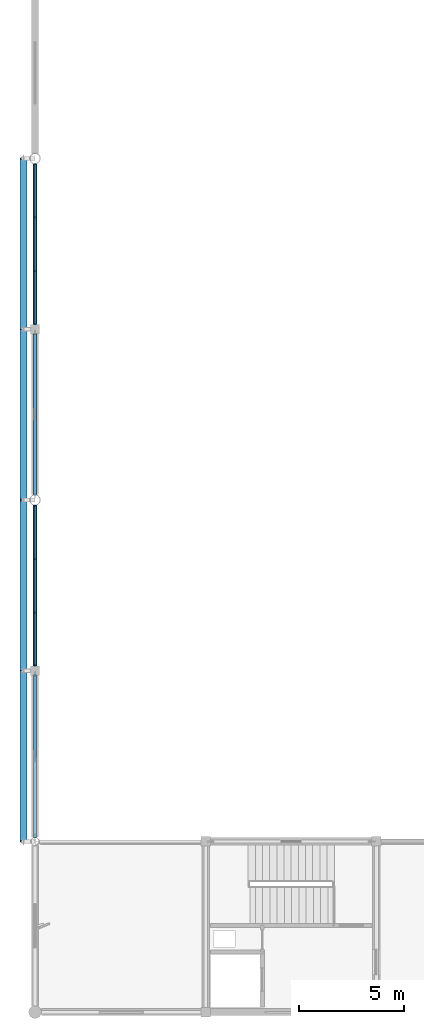
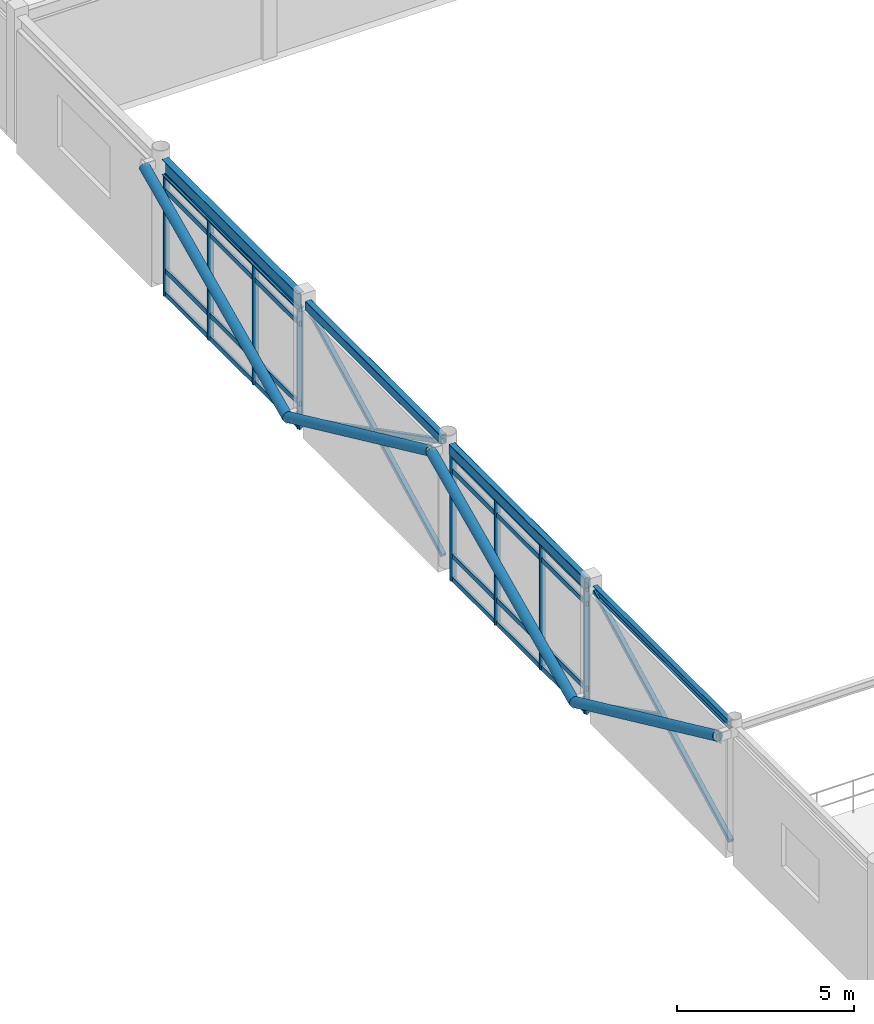
# One storey, part 27 of 93: 25 members, 4 beams, 2 elements without a shape of their own.
"""IFC4 building model written with IfcOpenShell, lengths in metres."""

from ifc_helpers import new_model, si_unit, direction, frame, origin, origin_2d, place, context, subcontext, project, spatial, rectangle, hollow_rectangle, hollow_circle, i_section, extrude, material, layer, layer_set, material_profile, profile_set, type_object, element, aggregate, save


model = new_model("IFC4")

# Units and contexts
model_context = context("Model", 3, precision=1e-05, world=origin(), true_north=direction((0.0, 1.0)))
body_context = subcontext(model_context, "Body", "Model", "MODEL_VIEW")
ifc_project = project(units=[si_unit("LENGTHUNIT", "METRE"), si_unit("AREAUNIT", "SQUARE_METRE"), si_unit("VOLUMEUNIT", "CUBIC_METRE"), si_unit("PLANEANGLEUNIT", "RADIAN"), si_unit("MASSUNIT", "GRAM", prefix="KILO")], contexts=[model_context])

# Site, building, storey
site_placement = place(None, origin())
site = spatial("IfcSite", under=ifc_project, at=site_placement, CompositionType="ELEMENT")
building_placement = place(site_placement, origin())
building = spatial("IfcBuilding", under=site, at=building_placement, Name="Vaudrelin Polytechnic", CompositionType="ELEMENT")
storey_placement = place(building_placement, frame((0.0, 0.0, 5.10009765625)))
storey = spatial("IfcBuildingStorey", under=building, at=storey_placement, Name="L01", CompositionType="ELEMENT", Elevation=5.10009765625)

# Beams
ifc_material_1 = material(Name="Steel CSA G40.21 350W", Category="steel")
ifc_material_profile_1 = material_profile(ifc_material_1, i_section(OverallWidth=0.208984375, OverallDepth=0.532958984375, WebThickness=0.01025390625, FlangeThickness=0.015625, FilletRadius=0.01904296875, at=origin_2d()), Name="W530x92")
ifc_profile_set_1 = profile_set([ifc_material_profile_1], Name="Steel CSA G40.21 350W")
beam_type_1 = type_object("IfcBeamType", Name="BM-BM-W530", PredefinedType="BEAM", material=ifc_profile_set_1)
beam_1_placement = place(storey_placement, frame((0.0, 73.110107421875, 4.04345703125), z_axis=(0.0, 1.0, 0.0), x_axis=(-1.0, 0.0, 0.0)))
element("IfcBeam", 1, at=beam_1_placement, inside=storey, type_object=beam_type_1, Name="L01 Y-beam 1-10", PredefinedType="BEAM", context=body_context, shape_type="SweptSolid", body=[
    extrude(i_section(OverallWidth=0.208984375, OverallDepth=0.532958984375, WebThickness=0.01025390625, FlangeThickness=0.015625, FilletRadius=0.01904296875, at=origin_2d()), origin(), (0.0, 0.0, 1.0), 7.65087890625),
])
ifc_material_profile_2 = material_profile(ifc_material_1, i_section(OverallWidth=0.14794921875, OverallDepth=0.26611328125, WebThickness=0.007568359375, FlangeThickness=0.012939453125, FilletRadius=0.012939453125, at=origin_2d()), Name="W250x45")
ifc_profile_set_2 = profile_set([ifc_material_profile_2], Name="Steel CSA G40.21 350W")
beam_type_2 = type_object("IfcBeamType", Name="BM-JS-W250", PredefinedType="JOIST", material=ifc_profile_set_2)
beam_2_placement = place(storey_placement, frame((0.0, 48.7880859375, 4.177001953125), z_axis=(0.0, 1.0, 0.0), x_axis=(-1.0, 0.0, 0.0)))
element("IfcBeam", 2, at=beam_2_placement, inside=storey, type_object=beam_type_2, Name="L01 Y-beam 1-7", PredefinedType="JOIST", context=body_context, shape_type="SweptSolid", body=[
    extrude(i_section(OverallWidth=0.14794921875, OverallDepth=0.26611328125, WebThickness=0.007568359375, FlangeThickness=0.012939453125, FilletRadius=0.012939453125, at=origin_2d()), origin(), (0.0, 0.0, 1.0), 7.701904296875),
])
ifc_material_2 = material(Name="Steel CSA G40.21 350WT", Category="steel")
ifc_material_profile_3 = material_profile(ifc_material_2, hollow_rectangle(XDim=0.202880859375, YDim=0.304931640625, WallThickness=0.010986328125, InnerFilletRadius=0.010986328125, OuterFilletRadius=0.022216796875, at=origin_2d()), Name="HSS305x203x11.1")
ifc_profile_set_3 = profile_set([ifc_material_profile_3], Name="Steel CSA G40.21 350WT")
beam_type_3 = type_object("IfcBeamType", Name="BM-SP-HSS30", PredefinedType="SPANDREL", material=ifc_profile_set_3)
beam_3_placement = place(storey_placement, frame((0.0, 65.0390625, 4.157470703125), z_axis=(0.0, 1.0, 0.0), x_axis=(-1.0, 0.0, 0.0)))
element("IfcBeam", 3, at=beam_3_placement, inside=storey, type_object=beam_type_3, Name="L01 Y-beam 1-9", PredefinedType="SPANDREL", context=body_context, shape_type="SweptSolid", body=[
    extrude(hollow_rectangle(XDim=0.202880859375, YDim=0.304931640625, WallThickness=0.010986328125, InnerFilletRadius=0.010986328125, OuterFilletRadius=0.022216796875, at=origin_2d()), origin(), (0.0, 0.0, 1.0), 7.65087890625),
])
ifc_material_profile_4 = material_profile(ifc_material_2, hollow_rectangle(XDim=0.202880859375, YDim=0.35595703125, WallThickness=0.0126953125, InnerFilletRadius=0.0126953125, OuterFilletRadius=0.025390625, at=origin_2d()), Name="HSS356x203x12.7")
ifc_profile_set_4 = profile_set([ifc_material_profile_4], Name="Steel CSA G40.21 350WT")
beam_type_4 = type_object("IfcBeamType", Name="BM-SP-HSS35", PredefinedType="SPANDREL", material=ifc_profile_set_4)
beam_4_placement = place(storey_placement, frame((0.0, 56.909912109375, 4.1318359375), z_axis=(0.0, 1.0, 0.0), x_axis=(-1.0, 0.0, 0.0)))
element("IfcBeam", 4, at=beam_4_placement, inside=storey, type_object=beam_type_4, Name="L01 Y-beam 1-8", PredefinedType="SPANDREL", context=body_context, shape_type="SweptSolid", body=[
    extrude(hollow_rectangle(XDim=0.202880859375, YDim=0.35595703125, WallThickness=0.0126953125, InnerFilletRadius=0.0126953125, OuterFilletRadius=0.025390625, at=origin_2d()), origin(), (0.0, 0.0, 1.0), 7.651123046875),
])

# Members
ifc_material_profile_5 = material_profile(ifc_material_1, hollow_rectangle(XDim=0.152099609375, YDim=0.152099609375, WallThickness=0.008056640625, InnerFilletRadius=0.008056640625, OuterFilletRadius=0.01611328125, at=origin_2d()), Name="HSS152x152x8.0")
ifc_profile_set_5 = profile_set([ifc_material_profile_5], Name="Steel CSA G40.21 350W")
member_type_1 = type_object("IfcMemberType", Name="MEM-BF-D01", PredefinedType="BRACE", material=ifc_profile_set_5)
member_1_placement = place(storey_placement, frame((0.0, 48.795166015625, 0.159912109375), z_axis=(0.0, 0.888797598424, 0.458299933488), x_axis=(-1.0, 0.0, 0.0)))
element("IfcMember", 5, at=member_1_placement, inside=storey, type_object=member_type_1, Name="West workshop X-brace continuous diagonal XBR-01A", PredefinedType="BRACE", context=body_context, shape_type="SweptSolid", body=[
    extrude(hollow_rectangle(XDim=0.152099609375, YDim=0.152099609375, WallThickness=0.008056640625, InnerFilletRadius=0.008056640625, OuterFilletRadius=0.01611328125, at=origin_2d()), origin(), (0.0, 0.0, 1.0), 8.649658203125),
])
member_2_placement = place(storey_placement, frame((0.0, 56.48291015625, 0.159912109375), z_axis=(0.0, -0.888809053742, 0.458277717096), x_axis=(1.0, 0.0, 0.0)))
element("IfcMember", 6, at=member_2_placement, inside=storey, type_object=member_type_1, Name="West workshop X-brace lower split diagonal XBR-01B-1", PredefinedType="BRACE", context=body_context, shape_type="SweptSolid", body=[
    extrude(hollow_rectangle(XDim=0.152099609375, YDim=0.152099609375, WallThickness=0.008056640625, InnerFilletRadius=0.008056640625, OuterFilletRadius=0.01611328125, at=origin_2d()), origin(), (0.0, 0.0, 1.0), 4.2236328125),
])
member_3_placement = place(storey_placement, frame((0.0, 65.0458984375, 0.159912109375), z_axis=(0.0, 0.88941364823, 0.457103229416), x_axis=(-1.0, 0.0, 0.0)))
element("IfcMember", 7, at=member_3_placement, inside=storey, type_object=member_type_1, Name="West workshop X-brace continuous diagonal XBR-02A", PredefinedType="BRACE", context=body_context, shape_type="SweptSolid", body=[
    extrude(hollow_rectangle(XDim=0.152099609375, YDim=0.152099609375, WallThickness=0.008056640625, InnerFilletRadius=0.008056640625, OuterFilletRadius=0.01611328125, at=origin_2d()), origin(), (0.0, 0.0, 1.0), 8.586669921875),
])
member_4_placement = place(storey_placement, frame((0.0, 72.68310546875, 0.159912109375), z_axis=(0.0, -0.889433938462, 0.457063747318), x_axis=(1.0, 0.0, 0.0)))
element("IfcMember", 8, at=member_4_placement, inside=storey, type_object=member_type_1, Name="West workshop X-brace lower split diagonal XBR-02B-1", PredefinedType="BRACE", context=body_context, shape_type="SweptSolid", body=[
    extrude(hollow_rectangle(XDim=0.152099609375, YDim=0.152099609375, WallThickness=0.008056640625, InnerFilletRadius=0.008056640625, OuterFilletRadius=0.01611328125, at=origin_2d()), origin(), (0.0, 0.0, 1.0), 4.19189453125),
])
member_5_placement = place(storey_placement, frame((0.0, 68.7744140625, 2.168701171875), z_axis=(0.0, -0.889410261903, 0.457109818339), x_axis=(1.0, 0.0, 0.0)))
element("IfcMember", 9, at=member_5_placement, inside=storey, type_object=member_type_1, Name="West workshop X-brace upper split diagonal XBR-02B-2", PredefinedType="BRACE", context=body_context, shape_type="SweptSolid", body=[
    extrude(hollow_rectangle(XDim=0.152099609375, YDim=0.152099609375, WallThickness=0.008056640625, InnerFilletRadius=0.008056640625, OuterFilletRadius=0.01611328125, at=origin_2d()), origin(), (0.0, 0.0, 1.0), 4.192138671875),
])

# Curtain wall, members
ifc_material_3 = material(Name="Thermally broken anodised aluminium AA 6063-T6 and low-e triple glazing", Category="aluminium")
ifc_layer = layer(ifc_material_3, 0.199951171875)
ifc_layer_set = layer_set([ifc_layer], Name="Thermally broken anodised aluminium AA 6063-T6 and low-e triple glazing")
curtain_wall_type = type_object("IfcCurtainWallType", Name="CW-CW-POR", PredefinedType="USERDEFINED", material=ifc_layer_set)
curtain_wall_1_placement = place(storey_placement, origin())
curtain_wall_1 = element("IfcCurtainWall", 10, at=curtain_wall_1_placement, inside=storey, type_object=curtain_wall_type, Name="Curtain wall L01 W_V1_02", ObjectType="CURTAIN WALL", PredefinedType="USERDEFINED")
ifc_material_4 = material(Name="Anodised aluminium AA 6063-T6", Category="aluminium")
ifc_material_profile_6 = material_profile(ifc_material_4, rectangle(XDim=0.06494140625, YDim=0.179931640625, at=origin_2d()), Name="CWM-65x180")
ifc_profile_set_6 = profile_set([ifc_material_profile_6], Name="Anodised aluminium AA 6063-T6")
member_type_2 = type_object("IfcMemberType", Name="MEM-CWM-180", PredefinedType="MULLION", material=ifc_profile_set_6)
member_6_placement = place(storey_placement, frame((0.0, 56.962890625, -0.380126953125), z_axis=(0.0, 0.0, 1.0), x_axis=(0.0, 1.0, 0.0)))
member_6 = element("IfcMember", 11, at=member_6_placement, type_object=member_type_2, Name="W_V1_02 mullion 1", PredefinedType="MULLION", context=body_context, shape_type="SweptSolid", body=[
    extrude(rectangle(XDim=0.06494140625, YDim=0.179931640625, at=origin_2d()), origin(), (0.0, 0.0, 1.0), 4.3359375),
])
member_7_placement = place(storey_placement, frame((0.0, 59.464599609375, -0.380126953125), z_axis=(0.0, 0.0, 1.0), x_axis=(0.0, 1.0, 0.0)))
member_7 = element("IfcMember", 12, at=member_7_placement, type_object=member_type_2, Name="W_V1_02 mullion 2", PredefinedType="MULLION", context=body_context, shape_type="SweptSolid", body=[
    extrude(rectangle(XDim=0.06494140625, YDim=0.179931640625, at=origin_2d()), origin(), (0.0, 0.0, 1.0), 4.3359375),
])
member_8_placement = place(storey_placement, frame((0.0, 62.00634765625, -0.380126953125), z_axis=(0.0, 0.0, 1.0), x_axis=(0.0, 1.0, 0.0)))
member_8 = element("IfcMember", 13, at=member_8_placement, type_object=member_type_2, Name="W_V1_02 mullion 3", PredefinedType="MULLION", context=body_context, shape_type="SweptSolid", body=[
    extrude(rectangle(XDim=0.06494140625, YDim=0.179931640625, at=origin_2d()), origin(), (0.0, 0.0, 1.0), 4.3359375),
])
member_9_placement = place(storey_placement, frame((0.0, 64.508056640625, -0.380126953125), z_axis=(0.0, 0.0, 1.0), x_axis=(0.0, 1.0, 0.0)))
member_9 = element("IfcMember", 14, at=member_9_placement, type_object=member_type_2, Name="W_V1_02 mullion 4", PredefinedType="MULLION", context=body_context, shape_type="SweptSolid", body=[
    extrude(rectangle(XDim=0.06494140625, YDim=0.179931640625, at=origin_2d()), origin(), (0.0, 0.0, 1.0), 4.3359375),
])

curtain_wall_2_placement = place(storey_placement, origin())
curtain_wall_2 = element("IfcCurtainWall", 15, at=curtain_wall_2_placement, inside=storey, type_object=curtain_wall_type, Name="Curtain wall L01 W_V1_04", ObjectType="CURTAIN WALL", PredefinedType="USERDEFINED")
member_10_placement = place(storey_placement, frame((0.0, 73.1630859375, -0.380126953125), z_axis=(0.0, 0.0, 1.0), x_axis=(0.0, 1.0, 0.0)))
member_10 = element("IfcMember", 16, at=member_10_placement, type_object=member_type_2, Name="W_V1_04 mullion 1", PredefinedType="MULLION", context=body_context, shape_type="SweptSolid", body=[
    extrude(rectangle(XDim=0.06494140625, YDim=0.179931640625, at=origin_2d()), origin(), (0.0, 0.0, 1.0), 4.158935546875),
])
member_11_placement = place(storey_placement, frame((0.0, 75.664794921875, -0.380126953125), z_axis=(0.0, 0.0, 1.0), x_axis=(0.0, 1.0, 0.0)))
member_11 = element("IfcMember", 17, at=member_11_placement, type_object=member_type_2, Name="W_V1_04 mullion 2", PredefinedType="MULLION", context=body_context, shape_type="SweptSolid", body=[
    extrude(rectangle(XDim=0.06494140625, YDim=0.179931640625, at=origin_2d()), origin(), (0.0, 0.0, 1.0), 4.158935546875),
])
member_12_placement = place(storey_placement, frame((0.0, 78.206298828125, -0.380126953125), z_axis=(0.0, 0.0, 1.0), x_axis=(0.0, 1.0, 0.0)))
member_12 = element("IfcMember", 18, at=member_12_placement, type_object=member_type_2, Name="W_V1_04 mullion 3", PredefinedType="MULLION", context=body_context, shape_type="SweptSolid", body=[
    extrude(rectangle(XDim=0.06494140625, YDim=0.179931640625, at=origin_2d()), origin(), (0.0, 0.0, 1.0), 4.158935546875),
])
member_13_placement = place(storey_placement, frame((0.0, 80.7080078125, -0.380126953125), z_axis=(0.0, 0.0, 1.0), x_axis=(0.0, 1.0, 0.0)))
member_13 = element("IfcMember", 19, at=member_13_placement, type_object=member_type_2, Name="W_V1_04 mullion 4", PredefinedType="MULLION", context=body_context, shape_type="SweptSolid", body=[
    extrude(rectangle(XDim=0.06494140625, YDim=0.179931640625, at=origin_2d()), origin(), (0.0, 0.0, 1.0), 4.158935546875),
])

# Member
ifc_material_profile_7 = material_profile(ifc_material_4, rectangle(XDim=0.074951171875, YDim=0.1650390625, at=origin_2d()), Name="CWT-75x165")
ifc_profile_set_7 = profile_set([ifc_material_profile_7], Name="Anodised aluminium AA 6063-T6")
member_type_3 = type_object("IfcMemberType", Name="MEM-CWT-165", PredefinedType="USERDEFINED", material=ifc_profile_set_7)
member_14_placement = place(storey_placement, frame((0.0, 56.923095703125, -0.330078125), z_axis=(0.0, 1.0, 0.0), x_axis=(-1.0, 0.0, 0.0)))
member_14 = element("IfcMember", 20, at=member_14_placement, type_object=member_type_3, Name="W_V1_02 transom 1", ObjectType="TRANSOM", PredefinedType="USERDEFINED", context=body_context, shape_type="SweptSolid", body=[
    extrude(rectangle(XDim=0.074951171875, YDim=0.1650390625, at=origin_2d()), origin(), (0.0, 0.0, 1.0), 7.625),
])

member_15_placement = place(storey_placement, frame((0.0, 56.923095703125, 0.469970703125), z_axis=(0.0, 1.0, 0.0), x_axis=(-1.0, 0.0, 0.0)))
member_15 = element("IfcMember", 21, at=member_15_placement, type_object=member_type_3, Name="W_V1_02 transom 2", ObjectType="TRANSOM", PredefinedType="USERDEFINED", context=body_context, shape_type="SweptSolid", body=[
    extrude(rectangle(XDim=0.074951171875, YDim=0.1650390625, at=origin_2d()), origin(), (0.0, 0.0, 1.0), 7.625),
])

member_16_placement = place(storey_placement, frame((0.0, 56.923095703125, 3.406005859375), z_axis=(0.0, 1.0, 0.0), x_axis=(-1.0, 0.0, 0.0)))
member_16 = element("IfcMember", 22, at=member_16_placement, type_object=member_type_3, Name="W_V1_02 transom 3", ObjectType="TRANSOM", PredefinedType="USERDEFINED", context=body_context, shape_type="SweptSolid", body=[
    extrude(rectangle(XDim=0.074951171875, YDim=0.1650390625, at=origin_2d()), origin(), (0.0, 0.0, 1.0), 7.625),
])

member_17_placement = place(storey_placement, frame((0.0, 56.923095703125, 3.906005859375), z_axis=(0.0, 1.0, 0.0), x_axis=(-1.0, 0.0, 0.0)))
member_17 = element("IfcMember", 23, at=member_17_placement, type_object=member_type_3, Name="W_V1_02 transom 4", ObjectType="TRANSOM", PredefinedType="USERDEFINED", context=body_context, shape_type="SweptSolid", body=[
    extrude(rectangle(XDim=0.074951171875, YDim=0.1650390625, at=origin_2d()), origin(), (0.0, 0.0, 1.0), 7.625),
])

aggregate(curtain_wall_1, [member_6, member_7, member_8, member_9, member_14, member_15, member_16, member_17])

member_18_placement = place(storey_placement, frame((0.0, 73.123046875, -0.330078125), z_axis=(0.0, 1.0, 0.0), x_axis=(-1.0, 0.0, 0.0)))
member_18 = element("IfcMember", 24, at=member_18_placement, type_object=member_type_3, Name="W_V1_04 transom 1", ObjectType="TRANSOM", PredefinedType="USERDEFINED", context=body_context, shape_type="SweptSolid", body=[
    extrude(rectangle(XDim=0.074951171875, YDim=0.1650390625, at=origin_2d()), origin(), (0.0, 0.0, 1.0), 7.625),
])

member_19_placement = place(storey_placement, frame((0.0, 73.123046875, 0.469970703125), z_axis=(0.0, 1.0, 0.0), x_axis=(-1.0, 0.0, 0.0)))
member_19 = element("IfcMember", 25, at=member_19_placement, type_object=member_type_3, Name="W_V1_04 transom 2", ObjectType="TRANSOM", PredefinedType="USERDEFINED", context=body_context, shape_type="SweptSolid", body=[
    extrude(rectangle(XDim=0.074951171875, YDim=0.1650390625, at=origin_2d()), origin(), (0.0, 0.0, 1.0), 7.625),
])

member_20_placement = place(storey_placement, frame((0.0, 73.123046875, 3.22900390625), z_axis=(0.0, 1.0, 0.0), x_axis=(-1.0, 0.0, 0.0)))
member_20 = element("IfcMember", 26, at=member_20_placement, type_object=member_type_3, Name="W_V1_04 transom 3", ObjectType="TRANSOM", PredefinedType="USERDEFINED", context=body_context, shape_type="SweptSolid", body=[
    extrude(rectangle(XDim=0.074951171875, YDim=0.1650390625, at=origin_2d()), origin(), (0.0, 0.0, 1.0), 7.625),
])

member_21_placement = place(storey_placement, frame((0.0, 73.123046875, 3.72900390625), z_axis=(0.0, 1.0, 0.0), x_axis=(-1.0, 0.0, 0.0)))
member_21 = element("IfcMember", 27, at=member_21_placement, type_object=member_type_3, Name="W_V1_04 transom 4", ObjectType="TRANSOM", PredefinedType="USERDEFINED", context=body_context, shape_type="SweptSolid", body=[
    extrude(rectangle(XDim=0.074951171875, YDim=0.1650390625, at=origin_2d()), origin(), (0.0, 0.0, 1.0), 7.625),
])

aggregate(curtain_wall_2, [member_10, member_11, member_12, member_13, member_18, member_19, member_20, member_21])

# Members
ifc_material_profile_8 = material_profile(ifc_material_2, hollow_circle(Radius=0.161865234375, WallThickness=0.0126953125, at=origin_2d()), Name="CHS323.9x12.7")
ifc_profile_set_8 = profile_set([ifc_material_profile_8], Name="Steel CSA G40.21 350WT")
member_type_4 = type_object("IfcMemberType", Name="MEM-TR-BR2", PredefinedType="BRACE", material=ifc_profile_set_8)
member_22_placement = place(storey_placement, frame((-0.550048828125, 56.699951171875, 0.349853515625), z_axis=(0.0, -0.907891293537, 0.419205676393), x_axis=(1.0, 0.0, 0.0)))
element("IfcMember", 28, at=member_22_placement, inside=storey, type_object=member_type_4, Name="Deconstructivist exoskeleton diagrid DG_WV1-25.2.1", PredefinedType="BRACE", context=body_context, shape_type="SweptSolid", body=[
    extrude(hollow_circle(Radius=0.161865234375, WallThickness=0.0126953125, at=origin_2d()), origin(), (0.0, 0.0, 1.0), 8.921630859375),
])
member_23_placement = place(storey_placement, frame((-0.550048828125, 56.699951171875, 0.349853515625), z_axis=(0.0, 0.907896102316, 0.419195261661), x_axis=(-1.0, 0.0, 0.0)))
element("IfcMember", 29, at=member_23_placement, inside=storey, type_object=member_type_4, Name="Deconstructivist exoskeleton diagrid DG_WV1-25.2.2", PredefinedType="BRACE", context=body_context, shape_type="SweptSolid", body=[
    extrude(hollow_circle(Radius=0.161865234375, WallThickness=0.0126953125, at=origin_2d()), origin(), (0.0, 0.0, 1.0), 8.921875),
])
member_24_placement = place(storey_placement, frame((-0.550048828125, 72.89990234375, 0.349853515625), z_axis=(0.0, -0.907891293537, 0.419205676393), x_axis=(1.0, 0.0, 0.0)))
element("IfcMember", 30, at=member_24_placement, inside=storey, type_object=member_type_4, Name="Deconstructivist exoskeleton diagrid DG_WV1-26.2.1", PredefinedType="BRACE", context=body_context, shape_type="SweptSolid", body=[
    extrude(hollow_circle(Radius=0.161865234375, WallThickness=0.0126953125, at=origin_2d()), origin(), (0.0, 0.0, 1.0), 8.921630859375),
])
member_25_placement = place(storey_placement, frame((-0.550048828125, 72.89990234375, 0.349853515625), z_axis=(0.0, 0.907896102316, 0.419195261661), x_axis=(-1.0, 0.0, 0.0)))
element("IfcMember", 31, at=member_25_placement, inside=storey, type_object=member_type_4, Name="Deconstructivist exoskeleton diagrid DG_WV1-26.2.2", PredefinedType="BRACE", context=body_context, shape_type="SweptSolid", body=[
    extrude(hollow_circle(Radius=0.161865234375, WallThickness=0.0126953125, at=origin_2d()), origin(), (0.0, 0.0, 1.0), 8.921875),
])

save(model, "model.ifc")
